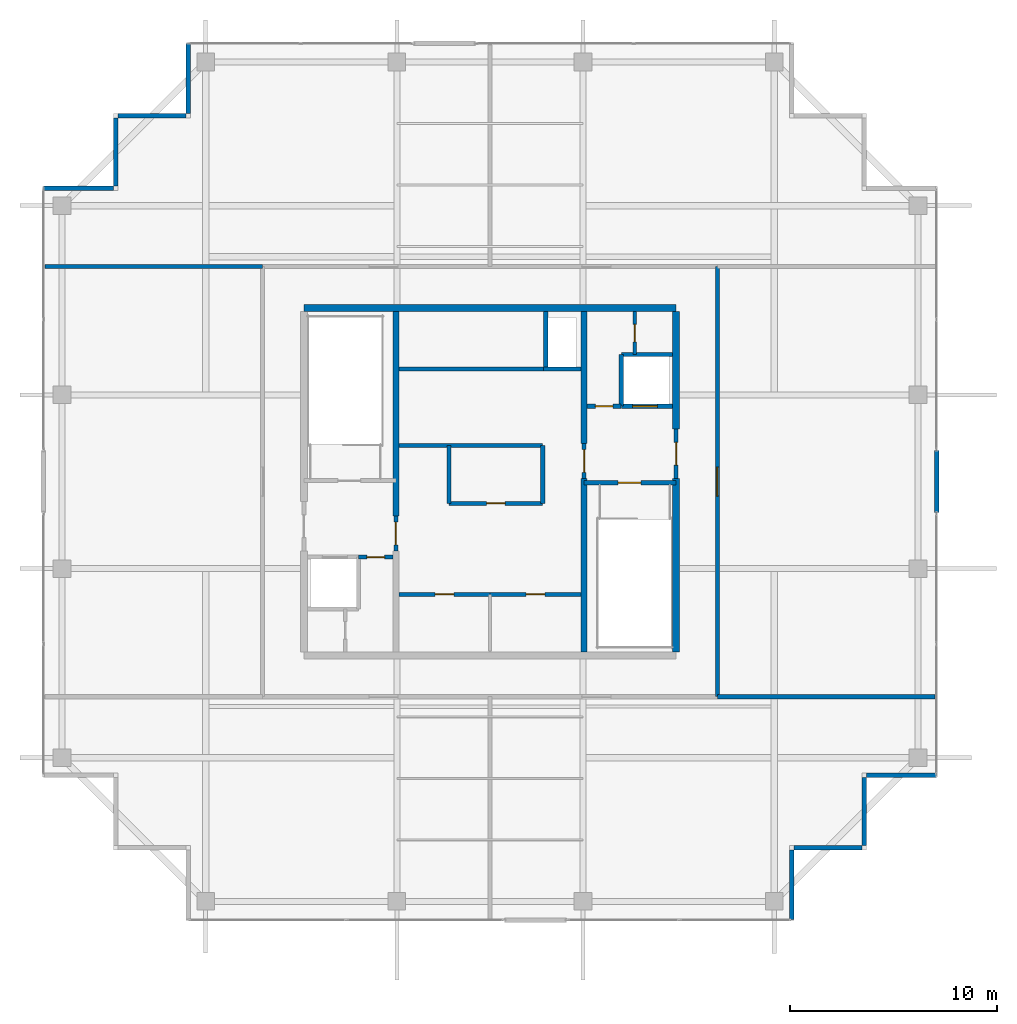
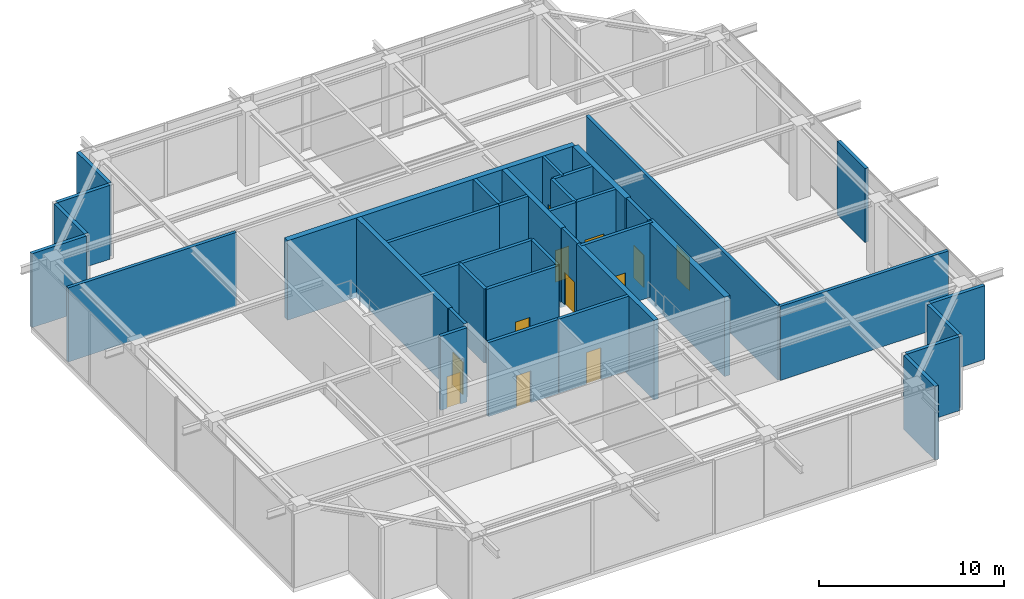
# One storey, part 25 of 27: 37 walls, 12 doors, 12 openings.
"""IFC4 building model written with IfcOpenShell, lengths in metres."""

from ifc_helpers import new_model, si_unit, direction, frame, frame_2d, origin, place, context, subcontext, project, spatial, rectangle, extrude, source, transform, mapped, material, layer, layer_set, type_object, element, fill, save


model = new_model("IFC4")

# Units and contexts
model_context = context("Model", 3, precision=1e-05, world=origin(), true_north=direction((0.0, 1.0)))
body_context = subcontext(model_context, "Body", "Model", "MODEL_VIEW")
ifc_project = project(units=[si_unit("LENGTHUNIT", "METRE"), si_unit("AREAUNIT", "SQUARE_METRE"), si_unit("VOLUMEUNIT", "CUBIC_METRE"), si_unit("PLANEANGLEUNIT", "RADIAN"), si_unit("MASSUNIT", "GRAM", prefix="KILO")], contexts=[model_context])

# Site, building, storey
site_placement = place(None, origin())
site = spatial("IfcSite", under=ifc_project, at=site_placement, CompositionType="ELEMENT")
building_placement = place(site_placement, origin())
building = spatial("IfcBuilding", under=site, at=building_placement, Name="Serunith Strait Residences", CompositionType="ELEMENT")
storey_placement = place(building_placement, frame((0.0, 0.0, 365.75)))
storey = spatial("IfcBuildingStorey", under=building, at=storey_placement, Name="L89", CompositionType="ELEMENT", Elevation=365.75)

# Walls
ifc_material_1 = material(Name="Pale-Champagne Aluminium Insulated Panel", Category="aluminium")
ifc_layer_1 = layer(ifc_material_1, 0.219970703125, Name="Pale-Champagne Aluminium Insulated Panel")
ifc_layer_set_1 = layer_set([ifc_layer_1], Name="Pale-Champagne Aluminium Insulated Panel")
wall_type_1 = type_object("IfcWallType", Name="EW-ALUM-220", PredefinedType="ELEMENTEDWALL", material=ifc_layer_set_1)
wall_1_placement = place(storey_placement, frame((47.0, 4.0, 0.0), z_axis=(0.0, 0.0, 1.0), x_axis=(0.0, 1.0, 0.0)))
element("IfcWall", 1, at=wall_1_placement, inside=storey, type_object=wall_type_1, Name="L89 Girih Serrated Corner Wall 02", PredefinedType="ELEMENTEDWALL", context=body_context, shape_type="SweptSolid", body=[
    extrude(rectangle(XDim=3.389892578125, YDim=0.219970703125, at=frame_2d((1.69482421875, 0.0))), origin(), (0.0, 0.0, 1.0), 4.885009765625),
])
for number, where, z_axis, x_axis, name in (
    (2, (47.110107421875, 7.5, 0.0), (0.0, 0.0, 1.0), (1.0, 0.0, 0.0), "L89 Girih Serrated Corner Wall 03"),
    (3, (50.5, 7.610107421875, 0.0), (0.0, 0.0, 1.0), (0.0, 1.0, 0.0), "L89 Girih Serrated Corner Wall 04"),
):
    element("IfcWall", number, at=place(storey_placement, frame(where, z_axis=z_axis, x_axis=x_axis)), inside=storey, type_object=wall_type_1, Name=name, PredefinedType="ELEMENTEDWALL", context=body_context, shape_type="SweptSolid", body=[
        extrude(rectangle(XDim=3.27978515625, YDim=0.219970703125, at=frame_2d((1.639892578125, 0.0))), origin(), (0.0, 0.0, 1.0), 4.885009765625),
    ])
wall_2_placement = place(storey_placement, frame((50.610107421875, 11.0, 0.0), z_axis=(0.0, 0.0, 1.0), x_axis=(1.0, 0.0, 0.0)))
element("IfcWall", 4, at=wall_2_placement, inside=storey, type_object=wall_type_1, Name="L89 Girih Serrated Corner Wall 05", PredefinedType="ELEMENTEDWALL", context=body_context, shape_type="SweptSolid", body=[
    extrude(rectangle(XDim=3.389892578125, YDim=0.219970703125, at=frame_2d((1.69482421875, 0.0))), origin(), (0.0, 0.0, 1.0), 4.885009765625),
])
wall_3_placement = place(storey_placement, frame((54.0, 23.699951171875, 0.0), z_axis=(0.0, 0.0, 1.0), x_axis=(0.0, 1.0, 0.0)))
element("IfcWall", 5, at=wall_3_placement, inside=storey, type_object=wall_type_1, Name="L89 E Facade Pier Wall", PredefinedType="ELEMENTEDWALL", context=body_context, shape_type="SweptSolid", body=[
    extrude(rectangle(XDim=3.0, YDim=0.219970703125, at=frame_2d((1.5, 0.0))), origin(), (0.0, 0.0, 1.0), 4.885009765625),
])
wall_4_placement = place(storey_placement, frame((17.800048828125, 46.39990234375, 0.0), z_axis=(0.0, 0.0, 1.0), x_axis=(0.0, -1.0, 0.0)))
element("IfcWall", 6, at=wall_4_placement, inside=storey, type_object=wall_type_1, Name="L89 Girih Serrated Corner Wall 12", PredefinedType="ELEMENTEDWALL", context=body_context, shape_type="SweptSolid", body=[
    extrude(rectangle(XDim=3.389892578125, YDim=0.219970703125, at=frame_2d((1.69482421875, 0.0))), origin(), (0.0, 0.0, 1.0), 4.885009765625),
])
for number, where, z_axis, x_axis, name in (
    (7, (17.68994140625, 42.89990234375, 0.0), (0.0, 0.0, 1.0), (-1.0, 0.0, 0.0), "L89 Girih Serrated Corner Wall 13"),
    (8, (14.300048828125, 42.7900390625, 0.0), (0.0, 0.0, 1.0), (0.0, -1.0, 0.0), "L89 Girih Serrated Corner Wall 14"),
):
    element("IfcWall", number, at=place(storey_placement, frame(where, z_axis=z_axis, x_axis=x_axis)), inside=storey, type_object=wall_type_1, Name=name, PredefinedType="ELEMENTEDWALL", context=body_context, shape_type="SweptSolid", body=[
        extrude(rectangle(XDim=3.280029296875, YDim=0.219970703125, at=frame_2d((1.64013671875, 0.0))), origin(), (0.0, 0.0, 1.0), 4.885009765625),
    ])
wall_5_placement = place(storey_placement, frame((14.18994140625, 39.39990234375, 0.0), z_axis=(0.0, 0.0, 1.0), x_axis=(-1.0, 0.0, 0.0)))
element("IfcWall", 9, at=wall_5_placement, inside=storey, type_object=wall_type_1, Name="L89 Girih Serrated Corner Wall 15", PredefinedType="ELEMENTEDWALL", context=body_context, shape_type="SweptSolid", body=[
    extrude(rectangle(XDim=3.389892578125, YDim=0.219970703125, at=frame_2d((1.69482421875, 0.0))), origin(), (0.0, 0.0, 1.0), 4.885009765625),
])

# Wall, opening, door
ifc_material_2 = material(Name="Fire-rated masonry service closet wall", Category="masonry")
ifc_layer_2 = layer(ifc_material_2, 0.14990234375, Name="Fire-rated masonry service closet wall")
ifc_layer_set_2 = layer_set([ifc_layer_2], Name="Fire-rated masonry service closet wall")
wall_type_2 = type_object("IfcWallType", Name="IW-BOH-150", PredefinedType="PARTITIONING", material=ifc_layer_set_2)
wall_6_placement = place(storey_placement, frame((39.39990234375, 31.35009765625, 0.0), z_axis=(0.0, 0.0, 1.0), x_axis=(0.0, 1.0, 0.0)))
wall_6 = element("IfcWall", 10, at=wall_6_placement, inside=storey, type_object=wall_type_2, Name="L89 Partition Wall 013", PredefinedType="PARTITIONING", context=body_context, shape_type="SweptSolid", body=[
    extrude(rectangle(XDim=2.074951171875, YDim=0.14990234375, at=frame_2d((1.03759765625, 0.0))), origin(), (0.0, 0.0, 1.0), 4.89990234375),
])
opening_1_placement = place(wall_6_placement, frame((0.612060546875, 0.0, 0.0)))
opening_1 = element("IfcOpeningElement", 11, at=opening_1_placement, cuts=wall_6, Name="Opening FD-850", PredefinedType="OPENING", context=body_context, shape_type="SweptSolid", body=[
    extrude(rectangle(XDim=0.85009765625, YDim=2.10009765625, at=frame_2d((0.425048828125, 1.050048828125))), frame((0.0, 0.0849609375, 0.0), z_axis=(0.0, -1.0, 0.0), x_axis=(1.0, 0.0, 0.0)), (0.0, 0.0, 1.0), 0.169921875),
])
ifc_material_3 = material(Name="Powder-coated steel service closet door", Category="steel")
door_type_1 = type_object("IfcDoorType", Name="FD-BOH-850", OperationType="NOTDEFINED", PredefinedType="DOOR", material=ifc_material_3)
shared_shape_1 = source(origin(), body_context, "Body", "SweptSolid", [
    extrude(rectangle(XDim=0.85009765625, YDim=2.10009765625, at=frame_2d((0.425048828125, 1.050048828125))), frame((0.0, 0.02490234375, 0.0), z_axis=(0.0, -1.0, 0.0), x_axis=(1.0, 0.0, 0.0)), (0.0, 0.0, 1.0), 0.050048828125),
])
door_1_placement = place(opening_1_placement, origin())
door_1 = element("IfcDoor", 12, at=door_1_placement, inside=storey, type_object=door_type_1, Name="L89 Janitor Store Door", OperationType="SINGLE_SWING_LEFT", OverallHeight=2.10009765625, OverallWidth=0.85009765625, PredefinedType="DOOR", context=body_context, shape_type="MappedRepresentation", body=[
    mapped(shared_shape_1, transform((0.0, 0.0, 0.0), scale=1.0)),
])
fill(opening_1, door_1)

ifc_material_4 = material(Name="Acoustic concrete block plant wall", Category="concrete")
ifc_layer_3 = layer(ifc_material_4, 0.199951171875, Name="Acoustic concrete block plant wall")
ifc_layer_set_3 = layer_set([ifc_layer_3], Name="Acoustic concrete block plant wall")
wall_type_3 = type_object("IfcWallType", Name="IW-PLANT-200", PredefinedType="STANDARD", material=ifc_layer_set_3)
wall_7_placement = place(storey_placement, frame((43.39990234375, 14.800048828125, 0.0), z_axis=(0.0, 0.0, 1.0), x_axis=(0.0, 1.0, 0.0)))
wall_7 = element("IfcWall", 13, at=wall_7_placement, inside=storey, type_object=wall_type_3, Name="L89 Partition Wall 024", PredefinedType="STANDARD", context=body_context, shape_type="SweptSolid", body=[
    extrude(rectangle(XDim=20.800048828125, YDim=0.199951171875, at=frame_2d((10.39990234375, 0.0))), origin(), (0.0, 0.0, 1.0), 4.89990234375),
])
opening_2_placement = place(wall_7_placement, frame((9.699951171875, 0.0, 0.0)))
opening_2 = element("IfcOpeningElement", 14, at=opening_2_placement, cuts=wall_7, Name="Opening FD-1400", PredefinedType="OPENING", context=body_context, shape_type="SweptSolid", body=[
    extrude(rectangle(XDim=1.39990234375, YDim=2.199951171875, at=frame_2d((0.699951171875, 1.10009765625))), frame((0.0, 0.10986328125, 0.0), z_axis=(0.0, -1.0, 0.0), x_axis=(1.0, 0.0, 0.0)), (0.0, 0.0, 1.0), 0.219970703125),
])
ifc_material_5 = material(Name="Acoustic double-skin steel plant door", Category="steel")
door_type_2 = type_object("IfcDoorType", Name="FD-PLANT-1400", OperationType="DOUBLE_DOOR_SINGLE_SWING", PredefinedType="DOOR", material=ifc_material_5)
shared_shape_2 = source(origin(), body_context, "Body", "SweptSolid", [
    extrude(rectangle(XDim=1.39990234375, YDim=2.199951171875, at=frame_2d((0.699951171875, 1.10009765625))), frame((0.0, 0.02490234375, 0.0), z_axis=(0.0, -1.0, 0.0), x_axis=(1.0, 0.0, 0.0)), (0.0, 0.0, 1.0), 0.050048828125),
])
door_2_placement = place(opening_2_placement, origin())
door_2 = element("IfcDoor", 15, at=door_2_placement, inside=storey, type_object=door_type_2, Name="East Switchgear Plant Door", OperationType="DOUBLE_DOOR_SINGLE_SWING", OverallHeight=2.199951171875, OverallWidth=1.39990234375, PredefinedType="DOOR", context=body_context, shape_type="MappedRepresentation", body=[
    mapped(shared_shape_2, transform((0.0, 0.0, 0.0), scale=1.0)),
])
fill(opening_2, door_2)

# Walls
for number, where, z_axis, x_axis, name in (
    (16, (43.402099609375, 14.800048828125, 0.0), (0.0, 0.0, 1.0), (1.0, 0.0, 0.0), "L89 Partition Wall 026"),
    (17, (10.882080078125, 35.60009765625, 0.0), (0.0, 0.0, 1.0), (1.0, 0.0, 0.0), "L89 Partition Wall 027"),
):
    element("IfcWall", number, at=place(storey_placement, frame(where, z_axis=z_axis, x_axis=x_axis)), inside=storey, type_object=wall_type_3, Name=name, PredefinedType="STANDARD", context=body_context, shape_type="SweptSolid", body=[
        extrude(rectangle(XDim=10.515869140625, YDim=0.199951171875, at=frame_2d((5.2578125, 0.0))), origin(), (0.0, 0.0, 1.0), 4.89990234375),
    ])

# Wall, opening, door
ifc_material_6 = material(Name="Autoclaved aerated concrete blockwork", Category="masonry")
ifc_layer_4 = layer(ifc_material_6, 0.199951171875, Name="Autoclaved aerated concrete blockwork")
ifc_layer_set_4 = layer_set([ifc_layer_4], Name="Autoclaved aerated concrete blockwork")
wall_type_4 = type_object("IfcWallType", Name="IW-SHAFT-200", PredefinedType="STANDARD", material=ifc_layer_set_4)
wall_8_placement = place(storey_placement, frame((36.949951171875, 25.14990234375, 0.0), z_axis=(0.0, 0.0, 1.0), x_axis=(1.0, 0.0, 0.0)))
wall_8 = element("IfcWall", 18, at=wall_8_placement, inside=storey, type_object=wall_type_4, Name="L89 ST-2 North Shaft Wall", PredefinedType="STANDARD", context=body_context, shape_type="SweptSolid", body=[
    extrude(rectangle(XDim=4.449951171875, YDim=0.199951171875, at=frame_2d((2.22509765625, 0.0))), origin(), (0.0, 0.0, 1.0), 4.89990234375),
])
opening_3_placement = place(wall_8_placement, frame((1.64990234375, 0.0, 0.0)))
opening_3 = element("IfcOpeningElement", 19, at=opening_3_placement, cuts=wall_8, Name="Opening FD-1100", PredefinedType="OPENING", context=body_context, shape_type="SweptSolid", body=[
    extrude(rectangle(XDim=1.10009765625, YDim=2.14990234375, at=frame_2d((0.550048828125, 1.074951171875))), frame((0.0, 0.10986328125, 0.0), z_axis=(0.0, -1.0, 0.0), x_axis=(1.0, 0.0, 0.0)), (0.0, 0.0, 1.0), 0.219970703125),
])
ifc_material_7 = material(Name="Galvanised steel fire door leaf", Category="steel")
door_type_3 = type_object("IfcDoorType", Name="FD-STAIR-1100", OperationType="NOTDEFINED", PredefinedType="DOOR", material=ifc_material_7)
shared_shape_3 = source(origin(), body_context, "Body", "SweptSolid", [
    extrude(rectangle(XDim=1.10009765625, YDim=2.14990234375, at=frame_2d((0.550048828125, 1.074951171875))), frame((0.0, 0.02490234375, 0.0), z_axis=(0.0, -1.0, 0.0), x_axis=(1.0, 0.0, 0.0)), (0.0, 0.0, 1.0), 0.050048828125),
])
door_3_placement = place(opening_3_placement, origin())
door_3 = element("IfcDoor", 20, at=door_3_placement, inside=storey, type_object=door_type_3, Name="L89 ST-2 Escape Stair Door", OperationType="SINGLE_SWING_RIGHT", OverallHeight=2.14990234375, OverallWidth=1.10009765625, PredefinedType="DOOR", context=body_context, shape_type="MappedRepresentation", body=[
    mapped(shared_shape_3, transform((0.0, 0.0, 0.0), scale=1.0)),
])
fill(opening_3, door_3)

wall_9_placement = place(storey_placement, frame((38.75, 28.85009765625, 0.0), z_axis=(0.0, 0.0, 1.0), x_axis=(1.0, 0.0, 0.0)))
wall_9 = element("IfcWall", 21, at=wall_9_placement, inside=storey, type_object=wall_type_4, Name="L89 FL-2 South Shaft Wall", PredefinedType="STANDARD", context=body_context, shape_type="SweptSolid", body=[
    extrude(rectangle(XDim=2.47509765625, YDim=0.199951171875, at=frame_2d((1.237548828125, 0.0))), origin(), (0.0, 0.0, 1.0), 4.89990234375),
])
opening_4_placement = place(wall_9_placement, frame((0.550048828125, 0.0, 0.0)))
opening_4 = element("IfcOpeningElement", 22, at=opening_4_placement, cuts=wall_9, Name="Opening LD-FF1200", PredefinedType="OPENING", context=body_context, shape_type="SweptSolid", body=[
    extrude(rectangle(XDim=1.199951171875, YDim=2.199951171875, at=frame_2d((0.60009765625, 1.10009765625))), frame((0.0, 0.10986328125, 0.0), z_axis=(0.0, -1.0, 0.0), x_axis=(1.0, 0.0, 0.0)), (0.0, 0.0, 1.0), 0.219970703125),
])
ifc_material_8 = material(Name="Brushed stainless steel landing door", Category="steel")
door_type_4 = type_object("IfcDoorType", Name="LD-FF-1200", OperationType="DOUBLE_DOOR_SLIDING", PredefinedType="DOOR", material=ifc_material_8)
shared_shape_4 = source(origin(), body_context, "Body", "SweptSolid", [
    extrude(rectangle(XDim=1.199951171875, YDim=2.199951171875, at=frame_2d((0.60009765625, 1.10009765625))), frame((0.0, 0.02490234375, 0.0), z_axis=(0.0, -1.0, 0.0), x_axis=(1.0, 0.0, 0.0)), (0.0, 0.0, 1.0), 0.050048828125),
])
door_4_placement = place(opening_4_placement, origin())
door_4 = element("IfcDoor", 23, at=door_4_placement, inside=storey, type_object=door_type_4, Name="L89 FL-2 Landing Door", OperationType="DOUBLE_DOOR_SLIDING", OverallHeight=2.199951171875, OverallWidth=1.199951171875, PredefinedType="DOOR", context=body_context, shape_type="MappedRepresentation", body=[
    mapped(shared_shape_4, transform((0.0, 0.0, 0.0), scale=1.0)),
])
fill(opening_4, door_4)

# Walls
wall_10_placement = place(storey_placement, frame((35.0, 30.64990234375, 0.0), z_axis=(0.0, 0.0, 1.0), x_axis=(1.0, 0.0, 0.0)))
element("IfcWall", 24, at=wall_10_placement, inside=storey, type_object=wall_type_4, Name="L89 SL-1 South Shaft Wall", PredefinedType="STANDARD", context=body_context, shape_type="SweptSolid", body=[
    extrude(rectangle(XDim=1.800048828125, YDim=0.199951171875, at=frame_2d((0.89990234375, 0.0))), origin(), (0.0, 0.0, 1.0), 4.89990234375),
])
wall_11_placement = place(storey_placement, frame((35.10009765625, 30.75, 0.0), z_axis=(0.0, 0.0, 1.0), x_axis=(0.0, 1.0, 0.0)))
element("IfcWall", 25, at=wall_11_placement, inside=storey, type_object=wall_type_4, Name="L89 SL-1 West Shaft Wall", PredefinedType="STANDARD", context=body_context, shape_type="SweptSolid", body=[
    extrude(rectangle(XDim=2.675048828125, YDim=0.199951171875, at=frame_2d((1.33740234375, 0.0))), origin(), (0.0, 0.0, 1.0), 4.89990234375),
])

# Wall, opening, door
wall_12_placement = place(storey_placement, frame((26.052001953125, 21.550048828125, 0.0), z_axis=(0.0, 0.0, 1.0), x_axis=(1.0, 0.0, 0.0)))
wall_12 = element("IfcWall", 26, at=wall_12_placement, inside=storey, type_object=wall_type_4, Name="L89 Partition Wall 003", PredefinedType="STANDARD", context=body_context, shape_type="SweptSolid", body=[
    extrude(rectangle(XDim=1.64794921875, YDim=0.199951171875, at=frame_2d((0.823974609375, 0.0))), origin(), (0.0, 0.0, 1.0), 4.89990234375),
])
opening_5_placement = place(wall_12_placement, frame((0.39892578125, 0.0, 0.0)))
opening_5 = element("IfcOpeningElement", 27, at=opening_5_placement, cuts=wall_12, Name="Opening FD-850", PredefinedType="OPENING", context=body_context, shape_type="SweptSolid", body=[
    extrude(rectangle(XDim=0.85009765625, YDim=2.10009765625, at=frame_2d((0.425048828125, 1.050048828125))), frame((0.0, 0.10986328125, 0.0), z_axis=(0.0, -1.0, 0.0), x_axis=(1.0, 0.0, 0.0)), (0.0, 0.0, 1.0), 0.219970703125),
])
door_5_placement = place(opening_5_placement, origin())
door_5 = element("IfcDoor", 28, at=door_5_placement, inside=storey, type_object=door_type_1, Name="L89 South-West Core Service Door", OperationType="SINGLE_SWING_RIGHT", OverallHeight=2.10009765625, OverallWidth=0.85009765625, PredefinedType="DOOR", context=body_context, shape_type="MappedRepresentation", body=[
    mapped(shared_shape_1, transform((0.0, 0.0, 0.0), scale=1.0)),
])
fill(opening_5, door_5)

# Walls
wall_13_placement = place(storey_placement, frame((38.75, 28.85009765625, 0.0), z_axis=(0.0, 0.0, 1.0), x_axis=(0.0, 1.0, 0.0)))
element("IfcWall", 29, at=wall_13_placement, inside=storey, type_object=wall_type_4, Name="L89 Partition Wall 004", PredefinedType="STANDARD", context=body_context, shape_type="SweptSolid", body=[
    extrude(rectangle(XDim=2.5, YDim=0.199951171875, at=frame_2d((1.25, 0.0))), origin(), (0.0, 0.0, 1.0), 4.89990234375),
])
wall_14_placement = place(storey_placement, frame((38.75, 31.35009765625, 0.0), z_axis=(0.0, 0.0, 1.0), x_axis=(1.0, 0.0, 0.0)))
element("IfcWall", 30, at=wall_14_placement, inside=storey, type_object=wall_type_4, Name="L89 Partition Wall 005", PredefinedType="STANDARD", context=body_context, shape_type="SweptSolid", body=[
    extrude(rectangle(XDim=2.47509765625, YDim=0.199951171875, at=frame_2d((1.237548828125, 0.0))), origin(), (0.0, 0.0, 1.0), 4.89990234375),
])

# Wall, opening, door
wall_15_placement = place(storey_placement, frame((37.10009765625, 28.85009765625, 0.0), z_axis=(0.0, 0.0, 1.0), x_axis=(1.0, 0.0, 0.0)))
wall_15 = element("IfcWall", 31, at=wall_15_placement, inside=storey, type_object=wall_type_4, Name="L89 Partition Wall 006", PredefinedType="STANDARD", context=body_context, shape_type="SweptSolid", body=[
    extrude(rectangle(XDim=1.64794921875, YDim=0.199951171875, at=frame_2d((0.823974609375, 0.0))), origin(), (0.0, 0.0, 1.0), 4.89990234375),
])
opening_6_placement = place(wall_15_placement, frame((0.39892578125, 0.0, 0.0)))
opening_6 = element("IfcOpeningElement", 32, at=opening_6_placement, cuts=wall_15, Name="Opening FD-850", PredefinedType="OPENING", context=body_context, shape_type="SweptSolid", body=[
    extrude(rectangle(XDim=0.85009765625, YDim=2.10009765625, at=frame_2d((0.425048828125, 1.050048828125))), frame((0.0, 0.10986328125, 0.0), z_axis=(0.0, -1.0, 0.0), x_axis=(1.0, 0.0, 0.0)), (0.0, 0.0, 1.0), 0.219970703125),
])
door_6_placement = place(opening_6_placement, origin())
door_6 = element("IfcDoor", 33, at=door_6_placement, inside=storey, type_object=door_type_1, Name="L89 North-East Core Service Door", OperationType="SINGLE_SWING_LEFT", OverallHeight=2.10009765625, OverallWidth=0.85009765625, PredefinedType="DOOR", context=body_context, shape_type="MappedRepresentation", body=[
    mapped(shared_shape_1, transform((0.0, 0.0, 0.0), scale=1.0)),
])
fill(opening_6, door_6)

wall_16_placement = place(storey_placement, frame((41.39990234375, 25.35205078125, 0.0), z_axis=(0.0, 0.0, 1.0), x_axis=(0.0, 1.0, 0.0)))
wall_16 = element("IfcWall", 34, at=wall_16_placement, inside=storey, type_object=wall_type_4, Name="L89 Partition Wall 008", PredefinedType="STANDARD", context=body_context, shape_type="SweptSolid", body=[
    extrude(rectangle(XDim=2.39599609375, YDim=0.199951171875, at=frame_2d((1.197998046875, 0.0))), origin(), (0.0, 0.0, 1.0), 4.89990234375),
])
opening_7_placement = place(wall_16_placement, frame((0.64794921875, 0.0, 0.0)))
opening_7 = element("IfcOpeningElement", 35, at=opening_7_placement, cuts=wall_16, Name="Opening FD-FFL", PredefinedType="OPENING", context=body_context, shape_type="SweptSolid", body=[
    extrude(rectangle(XDim=1.10009765625, YDim=2.14990234375, at=frame_2d((0.550048828125, 1.074951171875))), frame((0.0, 0.10986328125, 0.0), z_axis=(0.0, -1.0, 0.0), x_axis=(1.0, 0.0, 0.0)), (0.0, 0.0, 1.0), 0.219970703125),
])
ifc_material_9 = material(Name="Glazed steel smoke-lobby fire door", Category="steel")
door_type_5 = type_object("IfcDoorType", Name="FD-FFL-1100", OperationType="NOTDEFINED", PredefinedType="DOOR", material=ifc_material_9)
door_7_placement = place(opening_7_placement, origin())
door_7 = element("IfcDoor", 36, at=door_7_placement, inside=storey, type_object=door_type_5, Name="L89 FFL-2 Corridor Fire Door", OperationType="SINGLE_SWING_LEFT", OverallHeight=2.14990234375, OverallWidth=1.10009765625, PredefinedType="DOOR", context=body_context, shape_type="MappedRepresentation", body=[
    mapped(shared_shape_3, transform((0.0, 0.0, 0.0), scale=1.0)),
])
fill(opening_7, door_7)

wall_17_placement = place(storey_placement, frame((27.85009765625, 21.85205078125, 0.0), z_axis=(0.0, 0.0, 1.0), x_axis=(0.0, 1.0, 0.0)))
wall_17 = element("IfcWall", 37, at=wall_17_placement, inside=storey, type_object=wall_type_4, Name="L89 Partition Wall 009", PredefinedType="STANDARD", context=body_context, shape_type="SweptSolid", body=[
    extrude(rectangle(XDim=1.696044921875, YDim=0.199951171875, at=frame_2d((0.84814453125, 0.0))), origin(), (0.0, 0.0, 1.0), 4.89990234375),
])
opening_8_placement = place(wall_17_placement, frame((0.298095703125, 0.0, 0.0)))
opening_8 = element("IfcOpeningElement", 38, at=opening_8_placement, cuts=wall_17, Name="Opening FD-FFL", PredefinedType="OPENING", context=body_context, shape_type="SweptSolid", body=[
    extrude(rectangle(XDim=1.10009765625, YDim=2.14990234375, at=frame_2d((0.550048828125, 1.074951171875))), frame((0.0, 0.10986328125, 0.0), z_axis=(0.0, -1.0, 0.0), x_axis=(1.0, 0.0, 0.0)), (0.0, 0.0, 1.0), 0.219970703125),
])
door_8_placement = place(opening_8_placement, origin())
door_8 = element("IfcDoor", 39, at=door_8_placement, inside=storey, type_object=door_type_5, Name="L89 FFL-1 Lift Lobby Door", OperationType="SINGLE_SWING_RIGHT", OverallHeight=2.14990234375, OverallWidth=1.10009765625, PredefinedType="DOOR", context=body_context, shape_type="MappedRepresentation", body=[
    mapped(shared_shape_3, transform((0.0, 0.0, 0.0), scale=1.0)),
])
fill(opening_8, door_8)

wall_18_placement = place(storey_placement, frame((36.949951171875, 25.35205078125, 0.0), z_axis=(0.0, 0.0, 1.0), x_axis=(0.0, 1.0, 0.0)))
wall_18 = element("IfcWall", 40, at=wall_18_placement, inside=storey, type_object=wall_type_4, Name="L89 Partition Wall 010", PredefinedType="STANDARD", context=body_context, shape_type="SweptSolid", body=[
    extrude(rectangle(XDim=1.696044921875, YDim=0.199951171875, at=frame_2d((0.84814453125, 0.0))), origin(), (0.0, 0.0, 1.0), 4.89990234375),
])
opening_9_placement = place(wall_18_placement, frame((0.298095703125, 0.0, 0.0)))
opening_9 = element("IfcOpeningElement", 41, at=opening_9_placement, cuts=wall_18, Name="Opening FD-FFL", PredefinedType="OPENING", context=body_context, shape_type="SweptSolid", body=[
    extrude(rectangle(XDim=1.10009765625, YDim=2.14990234375, at=frame_2d((0.550048828125, 1.074951171875))), frame((0.0, 0.10986328125, 0.0), z_axis=(0.0, -1.0, 0.0), x_axis=(1.0, 0.0, 0.0)), (0.0, 0.0, 1.0), 0.219970703125),
])
door_9_placement = place(opening_9_placement, origin())
door_9 = element("IfcDoor", 42, at=door_9_placement, inside=storey, type_object=door_type_5, Name="L89 FFL-2 Lift Lobby Door", OperationType="SINGLE_SWING_LEFT", OverallHeight=2.14990234375, OverallWidth=1.10009765625, PredefinedType="DOOR", context=body_context, shape_type="MappedRepresentation", body=[
    mapped(shared_shape_3, transform((0.0, 0.0, 0.0), scale=1.0)),
])
fill(opening_9, door_9)

# Wall
wall_19_placement = place(storey_placement, frame((28.0, 30.64990234375, 0.0), z_axis=(0.0, 0.0, 1.0), x_axis=(1.0, 0.0, 0.0)))
element("IfcWall", 43, at=wall_19_placement, inside=storey, type_object=wall_type_4, Name="L89 Partition Wall 011", PredefinedType="STANDARD", context=body_context, shape_type="SweptSolid", body=[
    extrude(rectangle(XDim=6.998046875, YDim=0.199951171875, at=frame_2d((3.4990234375, 0.0))), origin(), (0.0, 0.0, 1.0), 4.89990234375),
])

# Wall, opening, door
wall_20_placement = place(storey_placement, frame((28.0, 19.75, 0.0), z_axis=(0.0, 0.0, 1.0), x_axis=(1.0, 0.0, 0.0)))
wall_20 = element("IfcWall", 44, at=wall_20_placement, inside=storey, type_object=wall_type_4, Name="L89 Partition Wall 014", PredefinedType="STANDARD", context=body_context, shape_type="SweptSolid", body=[
    extrude(rectangle(XDim=4.39990234375, YDim=0.199951171875, at=frame_2d((2.199951171875, 0.0))), origin(), (0.0, 0.0, 1.0), 4.89990234375),
])
opening_10_placement = place(wall_20_placement, frame((1.75, 0.0, 0.0)))
opening_10 = element("IfcOpeningElement", 45, at=opening_10_placement, cuts=wall_20, Name="Opening FD-900", PredefinedType="OPENING", context=body_context, shape_type="SweptSolid", body=[
    extrude(rectangle(XDim=0.89990234375, YDim=2.10009765625, at=frame_2d((0.449951171875, 1.050048828125))), frame((0.0, 0.10986328125, 0.0), z_axis=(0.0, -1.0, 0.0), x_axis=(1.0, 0.0, 0.0)), (0.0, 0.0, 1.0), 0.219970703125),
])
ifc_material_10 = material(Name="Powder-coated steel riser door", Category="steel")
door_type_6 = type_object("IfcDoorType", Name="FD-BOH-900", OperationType="NOTDEFINED", PredefinedType="DOOR", material=ifc_material_10)
shared_shape_5 = source(origin(), body_context, "Body", "SweptSolid", [
    extrude(rectangle(XDim=0.89990234375, YDim=2.10009765625, at=frame_2d((0.449951171875, 1.050048828125))), frame((0.0, 0.02490234375, 0.0), z_axis=(0.0, -1.0, 0.0), x_axis=(1.0, 0.0, 0.0)), (0.0, 0.0, 1.0), 0.050048828125),
])
door_10_placement = place(opening_10_placement, origin())
door_10 = element("IfcDoor", 46, at=door_10_placement, inside=storey, type_object=door_type_6, Name="L89 Fan-Coil Plant Door", OperationType="SINGLE_SWING_RIGHT", OverallHeight=2.10009765625, OverallWidth=0.89990234375, PredefinedType="DOOR", context=body_context, shape_type="MappedRepresentation", body=[
    mapped(shared_shape_5, transform((0.0, 0.0, 0.0), scale=1.0)),
])
fill(opening_10, door_10)

wall_21_placement = place(storey_placement, frame((32.402099609375, 19.75, 0.0), z_axis=(0.0, 0.0, 1.0), x_axis=(1.0, 0.0, 0.0)))
wall_21 = element("IfcWall", 47, at=wall_21_placement, inside=storey, type_object=wall_type_4, Name="L89 Partition Wall 015", PredefinedType="STANDARD", context=body_context, shape_type="SweptSolid", body=[
    extrude(rectangle(XDim=4.39794921875, YDim=0.199951171875, at=frame_2d((2.198974609375, 0.0))), origin(), (0.0, 0.0, 1.0), 4.89990234375),
])
opening_11_placement = place(wall_21_placement, frame((1.7490234375, 0.0, 0.0)))
opening_11 = element("IfcOpeningElement", 48, at=opening_11_placement, cuts=wall_21, Name="Opening FD-900", PredefinedType="OPENING", context=body_context, shape_type="SweptSolid", body=[
    extrude(rectangle(XDim=0.89990234375, YDim=2.10009765625, at=frame_2d((0.449951171875, 1.050048828125))), frame((0.0, 0.10986328125, 0.0), z_axis=(0.0, -1.0, 0.0), x_axis=(1.0, 0.0, 0.0)), (0.0, 0.0, 1.0), 0.219970703125),
])
door_11_placement = place(opening_11_placement, origin())
door_11 = element("IfcDoor", 49, at=door_11_placement, inside=storey, type_object=door_type_6, Name="L89 Battery UPS Plant Door", OperationType="SINGLE_SWING_LEFT", OverallHeight=2.10009765625, OverallWidth=0.89990234375, PredefinedType="DOOR", context=body_context, shape_type="MappedRepresentation", body=[
    mapped(shared_shape_5, transform((0.0, 0.0, 0.0), scale=1.0)),
])
fill(opening_11, door_11)

# Walls
wall_22_placement = place(storey_placement, frame((28.0, 26.949951171875, 0.0), z_axis=(0.0, 0.0, 1.0), x_axis=(1.0, 0.0, 0.0)))
element("IfcWall", 50, at=wall_22_placement, inside=storey, type_object=wall_type_4, Name="L89 Partition Wall 017", PredefinedType="STANDARD", context=body_context, shape_type="SweptSolid", body=[
    extrude(rectangle(XDim=6.949951171875, YDim=0.199951171875, at=frame_2d((3.47509765625, 0.0))), origin(), (0.0, 0.0, 1.0), 4.89990234375),
])
wall_23_placement = place(storey_placement, frame((34.949951171875, 24.14990234375, 0.0), z_axis=(0.0, 0.0, 1.0), x_axis=(0.0, 1.0, 0.0)))
element("IfcWall", 51, at=wall_23_placement, inside=storey, type_object=wall_type_4, Name="L89 Partition Wall 018", PredefinedType="STANDARD", context=body_context, shape_type="SweptSolid", body=[
    extrude(rectangle(XDim=2.800048828125, YDim=0.199951171875, at=frame_2d((1.39990234375, 0.0))), origin(), (0.0, 0.0, 1.0), 4.89990234375),
])

# Wall, opening, door
wall_24_placement = place(storey_placement, frame((30.419921875, 24.14990234375, 0.0), z_axis=(0.0, 0.0, 1.0), x_axis=(1.0, 0.0, 0.0)))
wall_24 = element("IfcWall", 52, at=wall_24_placement, inside=storey, type_object=wall_type_4, Name="L89 Partition Wall 019", PredefinedType="STANDARD", context=body_context, shape_type="SweptSolid", body=[
    extrude(rectangle(XDim=4.530029296875, YDim=0.199951171875, at=frame_2d((2.26513671875, 0.0))), origin(), (0.0, 0.0, 1.0), 4.89990234375),
])
opening_12_placement = place(wall_24_placement, frame((1.81494140625, 0.0, 0.0)))
opening_12 = element("IfcOpeningElement", 53, at=opening_12_placement, cuts=wall_24, Name="Opening FD-900", PredefinedType="OPENING", context=body_context, shape_type="SweptSolid", body=[
    extrude(rectangle(XDim=0.89990234375, YDim=2.10009765625, at=frame_2d((0.449951171875, 1.050048828125))), frame((0.0, 0.10986328125, 0.0), z_axis=(0.0, -1.0, 0.0), x_axis=(1.0, 0.0, 0.0)), (0.0, 0.0, 1.0), 0.219970703125),
])
door_12_placement = place(opening_12_placement, origin())
door_12 = element("IfcDoor", 54, at=door_12_placement, inside=storey, type_object=door_type_6, Name="L89 Housekeeping Linen Door", OperationType="SINGLE_SWING_RIGHT", OverallHeight=2.10009765625, OverallWidth=0.89990234375, PredefinedType="DOOR", context=body_context, shape_type="MappedRepresentation", body=[
    mapped(shared_shape_5, transform((0.0, 0.0, 0.0), scale=1.0)),
])
fill(opening_12, door_12)

# Walls
wall_25_placement = place(storey_placement, frame((30.419921875, 24.14990234375, 0.0), z_axis=(0.0, 0.0, 1.0), x_axis=(0.0, 1.0, 0.0)))
element("IfcWall", 55, at=wall_25_placement, inside=storey, type_object=wall_type_4, Name="L89 Partition Wall 020", PredefinedType="STANDARD", context=body_context, shape_type="SweptSolid", body=[
    extrude(rectangle(XDim=2.800048828125, YDim=0.199951171875, at=frame_2d((1.39990234375, 0.0))), origin(), (0.0, 0.0, 1.0), 4.89990234375),
])
ifc_material_11 = material(Name="Concrete C60/75", Category="concrete")
ifc_layer_5 = layer(ifc_material_11, 0.300048828125, Name="Concrete C60/75")
ifc_layer_set_5 = layer_set([ifc_layer_5], Name="Concrete C60/75")
wall_type_5 = type_object("IfcWallType", Name="SW-300-C60", PredefinedType="SHEAR", material=ifc_layer_set_5)
wall_26_placement = place(storey_placement, frame((27.85009765625, 23.550048828125, -0.360107421875), z_axis=(0.0, 0.0, 1.0), x_axis=(0.0, 1.0, 0.0)))
element("IfcWall", 56, at=wall_26_placement, inside=storey, type_object=wall_type_5, Name="L89 Core Internal West Web North Pier", PredefinedType="SHEAR", context=body_context, shape_type="SweptSolid", body=[
    extrude(rectangle(XDim=9.875, YDim=0.300048828125, at=frame_2d((4.9375, 0.0))), origin(), (0.0, 0.0, 1.0), 5.258056640625),
])
wall_27_placement = place(storey_placement, frame((36.949951171875, 16.97509765625, -0.360107421875), z_axis=(0.0, 0.0, 1.0), x_axis=(0.0, 1.0, 0.0)))
element("IfcWall", 57, at=wall_27_placement, inside=storey, type_object=wall_type_5, Name="L89 Core Internal East Web South Pier", PredefinedType="SHEAR", context=body_context, shape_type="SweptSolid", body=[
    extrude(rectangle(XDim=8.375, YDim=0.300048828125, at=frame_2d((4.1875, 0.0))), origin(), (0.0, 0.0, 1.0), 5.258056640625),
])
wall_28_placement = place(storey_placement, frame((36.949951171875, 27.050048828125, -0.360107421875), z_axis=(0.0, 0.0, 1.0), x_axis=(0.0, 1.0, 0.0)))
element("IfcWall", 58, at=wall_28_placement, inside=storey, type_object=wall_type_5, Name="L89 Core Internal East Web North Pier", PredefinedType="SHEAR", context=body_context, shape_type="SweptSolid", body=[
    extrude(rectangle(XDim=6.375, YDim=0.300048828125, at=frame_2d((3.1875, 0.0))), origin(), (0.0, 0.0, 1.0), 5.258056640625),
])
ifc_layer_6 = layer(ifc_material_11, 0.35009765625, Name="Concrete C60/75")
ifc_layer_set_6 = layer_set([ifc_layer_6], Name="Concrete C60/75")
wall_type_6 = type_object("IfcWallType", Name="SW-350-C60", PredefinedType="SHEAR", material=ifc_layer_set_6)
wall_29_placement = place(storey_placement, frame((41.39990234375, 33.60009765625, -0.360107421875), z_axis=(0.0, 0.0, 1.0), x_axis=(-1.0, 0.0, 0.0)))
element("IfcWall", 59, at=wall_29_placement, inside=storey, type_object=wall_type_6, Name="L89 Core North Shear Wall", PredefinedType="SHEAR", context=body_context, shape_type="SweptSolid", body=[
    extrude(rectangle(XDim=18.0, YDim=0.35009765625, at=frame_2d((9.0, 0.0))), origin(), (0.0, 0.0, 1.0), 5.258056640625),
])
wall_30_placement = place(storey_placement, frame((41.39990234375, 16.97509765625, -0.360107421875), z_axis=(0.0, 0.0, 1.0), x_axis=(0.0, 1.0, 0.0)))
element("IfcWall", 60, at=wall_30_placement, inside=storey, type_object=wall_type_6, Name="L89 Core East Shear Wall South Pier", PredefinedType="SHEAR", context=body_context, shape_type="SweptSolid", body=[
    extrude(rectangle(XDim=8.375, YDim=0.35009765625, at=frame_2d((4.1875, 0.0))), origin(), (0.0, 0.0, 1.0), 5.258056640625),
])
wall_31_placement = place(storey_placement, frame((41.39990234375, 27.75, -0.360107421875), z_axis=(0.0, 0.0, 1.0), x_axis=(0.0, 1.0, 0.0)))
element("IfcWall", 61, at=wall_31_placement, inside=storey, type_object=wall_type_6, Name="L89 Core East Shear Wall North Pier", PredefinedType="SHEAR", context=body_context, shape_type="SweptSolid", body=[
    extrude(rectangle(XDim=5.675048828125, YDim=0.35009765625, at=frame_2d((2.83740234375, 0.0))), origin(), (0.0, 0.0, 1.0), 5.258056640625),
])

save(model, "model.ifc")
